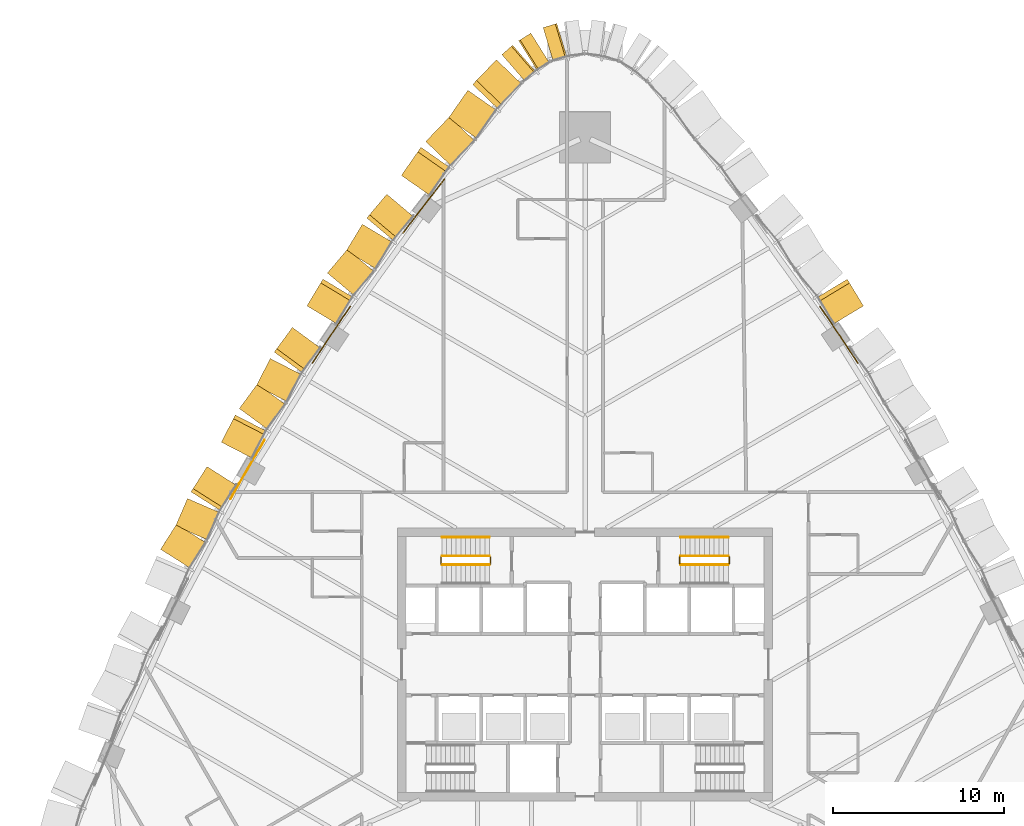
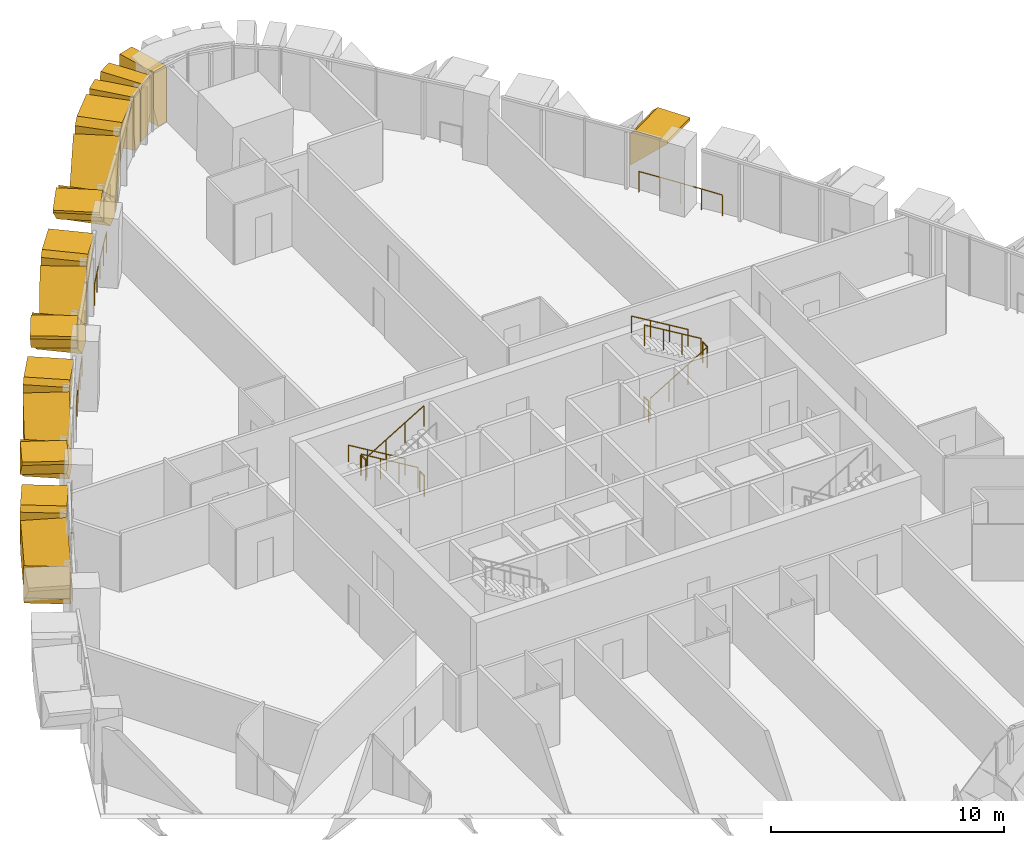
# One storey, part 20 of 22: 19 coverings, 14 railings.
"""IFC4 building model written with IfcOpenShell, lengths in metres."""

from ifc_helpers import new_model, si_unit, direction, frame, origin, origin_2d, place, context, subcontext, project, spatial, polyline, circle, outline, extrude, material, layer, layer_set, type_object, element, save


model = new_model("IFC4")

# Units and contexts
model_context = context("Model", 3, precision=1e-05, world=origin(), true_north=direction((0.0, 1.0)))
body_context = subcontext(model_context, "Body", "Model", "MODEL_VIEW")
ifc_project = project(units=[si_unit("LENGTHUNIT", "METRE"), si_unit("AREAUNIT", "SQUARE_METRE"), si_unit("VOLUMEUNIT", "CUBIC_METRE"), si_unit("PLANEANGLEUNIT", "RADIAN"), si_unit("MASSUNIT", "GRAM", prefix="KILO")], contexts=[model_context])

# Site, building, storey
site_placement = place(None, origin())
site = spatial("IfcSite", under=ifc_project, at=site_placement, CompositionType="ELEMENT")
building_placement = place(site_placement, origin())
building = spatial("IfcBuilding", under=site, at=building_placement, Name="Sierra Prisma Convention Tower", CompositionType="ELEMENT")
storey_placement = place(building_placement, frame((0.0, 0.0, 62.800048828125)))
storey = spatial("IfcBuildingStorey", under=building, at=storey_placement, Name="L11", CompositionType="ELEMENT", Elevation=62.800048828125)

# Coverings
ifc_material_1 = material(Name="Aluminium 6063-T6 bronze anodised", Category="aluminium")
ifc_layer = layer(ifc_material_1, 2.0)
ifc_layer_set = layer_set([ifc_layer], Name="Bronze crystal chevron frame")
covering_type = type_object("IfcCoveringType", Name="Bronze crystal chevron frame", PredefinedType="CLADDING", material=ifc_layer_set)
covering_1_placement = place(storey_placement, frame((16.3203125, 21.015625, 2.97998046875), z_axis=(0.856336169982, 0.516418787183, 1.4985825e-05), x_axis=(1.2832904e-05, 7.738962e-06, -0.999999999888)))
element("IfcCovering", 1, at=covering_1_placement, inside=storey, type_object=covering_type, Name="CW-2 chevron frame NE5.1.1", PredefinedType="CLADDING", context=body_context, shape_type="SweptSolid", body=[
    extrude(outline(polyline([(0.0, 0.0), (0.1628417968567149, 0.0), (1.894531249841712, 1.83004858426346), (0.24243164065222203, 1.83004858426346), (-4.075903744036317e-10, 1.573763135146004), (0.0, 0.0)])), origin(), (0.0, 0.0, -1.0), 2.0),
])
covering_2_placement = place(storey_placement, frame((-1.659423828125, 37.580078125, 0.0), z_axis=(-0.286690096858, 0.958023375197, 3.0662909e-05), x_axis=(-0.958023375647, -0.286690096992, -9.952e-09)))
element("IfcCovering", 2, at=covering_2_placement, inside=storey, type_object=covering_type, Name="CW-2 chevron frame N3.1.2", PredefinedType="CLADDING", context=body_context, shape_type="SweptSolid", body=[
    extrude(outline(polyline([(0.0, 0.0), (0.5549829505131081, -8.470329472543003e-22), (0.8386827710902457, 1.089355477751847), (0.8386827522743076, 2.9799804768630507), (0.09122267758372805, 2.979980467309572), (-2.6170773391764266e-08, 2.6296386706387884), (0.0, 0.0)])), origin(), (0.0, 0.0, -1.0), 2.0),
])
covering_3_placement = place(storey_placement, frame((-3.18212890625, 37.0146484375, 2.97998046875), z_axis=(-0.52973003457, 0.848166310594, -6.858818e-06), x_axis=(3.633322e-06, -5.817418e-06, -0.999999999976)))
element("IfcCovering", 3, at=covering_3_placement, inside=storey, type_object=covering_type, Name="CW-2 chevron frame N4.1.1", PredefinedType="CLADDING", context=body_context, shape_type="SweptSolid", body=[
    extrude(outline(polyline([(0.0, 0.0), (1.8906249999555294, 0.0), (2.9799804689421907, 0.283839278214992), (2.979980468729077, 0.8387854716968941), (0.35034179691593076, 0.8387854716968941), (2.822565357718751e-11, 0.7475366271382768), (0.0, 0.0)])), origin(), (0.0, 0.0, -1.0), 2.0),
])
covering_4_placement = place(storey_placement, frame((-4.25, 36.306640625, 0.0), z_axis=(-0.655892204575, 0.754854565316, 3.4619536e-05), x_axis=(-0.754854565769, -0.655892204968, -3.48e-10)))
element("IfcCovering", 4, at=covering_4_placement, inside=storey, type_object=covering_type, Name="CW-2 chevron frame N4.1.2", PredefinedType="CLADDING", context=body_context, shape_type="SweptSolid", body=[
    extrude(outline(polyline([(0.0, 0.0), (0.5549965118327121, 1.6940658945086007e-21), (0.8389828545040788, 1.08935546887798), (0.8389828538457093, 2.979980467745011), (0.0913619301070537, 2.9799804731881845), (-9.157152503089183e-10, 2.6296386702991725), (0.0, 0.0)])), origin(), (0.0, 0.0, -1.0), 2.0),
])
covering_5_placement = place(storey_placement, frame((-5.199462890625, 35.4560546875, 2.97998046875), z_axis=(-0.720212810955, 0.693753203177, 4.28925e-06), x_axis=(-3.089173e-06, 2.975681e-06, -0.999999999991)))
element("IfcCovering", 5, at=covering_5_placement, inside=storey, type_object=covering_type, Name="CW-2 chevron frame NW1.1.1", PredefinedType="CLADDING", context=body_context, shape_type="SweptSolid", body=[
    extrude(outline(polyline([(0.0, 0.0), (0.12573242187384343, 0.0), (1.8674316406129738, 2.011532258213049), (0.28002929687757594, 2.011532258213049), (-3.151768106306638e-11, 1.6881332798481512), (0.0, 0.0)])), origin(), (0.0, 0.0, -1.0), 2.0),
])
covering_6_placement = place(storey_placement, frame((-6.876708984375, 33.6650390625, 2.58740234375), z_axis=(-0.819887176263, 0.572525124513, 1.45104e-07), x_axis=(-1.18969e-07, 8.3076e-08, -1.0)))
element("IfcCovering", 6, at=covering_6_placement, inside=storey, type_object=covering_type, Name="CW-2 chevron frame NW1.1.2", PredefinedType="CLADDING", context=body_context, shape_type="SweptSolid", body=[
    extrude(outline(polyline([(0.0, 0.0), (1.5874023437499833, 0.0), (2.5874023437500453, 1.154765748713659), (2.587402343749994, 2.011459689450176), (1.7416992187500027, 2.011459689450176), (0.0, 0.0)])), origin(), (0.0, 0.0, -1.0), 2.0),
])
covering_7_placement = place(storey_placement, frame((-7.949462890625, 32.11181640625, 0.0), z_axis=(-0.720166165978, 0.693801623039, -3.5345518e-05), x_axis=(-0.693801623472, -0.720166166428, -3.549e-09)))
element("IfcCovering", 7, at=covering_7_placement, inside=storey, type_object=covering_type, Name="CW-2 chevron frame NW1.2.1", PredefinedType="CLADDING", context=body_context, shape_type="SweptSolid", body=[
    extrude(outline(polyline([(0.0, 0.0), (0.8565852182847731, 1.6940658945086007e-21), (2.0113564283809096, 1.000000007762185), (2.0113564227478276, 2.5874023505206094), (-3.0010759569958462e-09, 0.845703124471729), (0.0, 0.0)])), origin(), (0.0, 0.0, -1.0), 2.0),
])
covering_8_placement = place(storey_placement, frame((-10.7783203125, 28.671630859375, 2.97998046875), z_axis=(-0.819834156934, 0.572601041398, -5.0146271e-05), x_axis=(0.572601042118, 0.819834157965, 2.552e-09)))
element("IfcCovering", 8, at=covering_8_placement, inside=storey, type_object=covering_type, Name="CW-2 chevron frame NW1.2.2", PredefinedType="CLADDING", context=body_context, shape_type="SweptSolid", body=[
    extrude(outline(polyline([(0.0, 0.0), (1.6881267986440383, 6.776263578034403e-21), (2.0115994753017508, 0.28002930236048945), (2.011599471250858, 1.86743164411461), (-3.2085663820708017e-10, 0.12573242171691357), (0.0, 0.0)])), origin(), (0.0, 0.0, -1.0), 2.0),
])
covering_9_placement = place(storey_placement, frame((-11.62890625, 27.56982421875, 2.97998046875), z_axis=(-0.765022025836, 0.644004113594, -4.0738642e-05), x_axis=(3.1165958e-05, -2.6235853e-05, -0.99999999917)))
element("IfcCovering", 9, at=covering_9_placement, inside=storey, type_object=covering_type, Name="CW-2 chevron frame NW2.1.1", PredefinedType="CLADDING", context=body_context, shape_type="SweptSolid", body=[
    extrude(outline(polyline([(0.0, 0.0), (0.1633300779894657, 0.0), (1.895019530079016, 1.827642817336928), (0.24194335957576907, 1.827642817336928), (-3.01457487087136e-09, 1.572410300250707), (0.0, 0.0)])), origin(), (0.0, 0.0, -1.0), 2.0),
])
covering_10_placement = place(storey_placement, frame((-13.06396484375, 25.81103515625, 2.614990234375), z_axis=(-0.856247751691, 0.516565375699, -1.8782346e-05), x_axis=(1.6082341e-05, -9.702309e-06, -0.999999999824)))
element("IfcCovering", 10, at=covering_10_placement, inside=storey, type_object=covering_type, Name="CW-2 chevron frame NW2.1.2", PredefinedType="CLADDING", context=body_context, shape_type="SweptSolid", body=[
    extrude(outline(polyline([(0.0, 0.0), (1.6530761715834168, 5.6008399275965504e-21), (2.6149902351478613, 1.0153028983171954), (2.614990234253087, 1.8276626946994285), (1.7316894531588911, 1.8276626946994285), (0.0, 0.0)])), origin(), (0.0, 0.0, -1.0), 2.0),
])
covering_11_placement = place(storey_placement, frame((-14.458740234375, 23.7255859375, 0.0), z_axis=(-0.764974049044, 0.644061101522, -4.2369561e-05), x_axis=(-0.46757662632, -0.555311979785, 0.687750466104)))
element("IfcCovering", 11, at=covering_11_placement, inside=storey, type_object=covering_type, Name="CW-2 chevron frame NW2.2.1", PredefinedType="CLADDING", context=body_context, shape_type="SweptSolid", body=[
    extrude(outline(polyline([(0.0, 0.0), (1.398638189955494, -1.1102230246251565e-16), (2.5355420976685403, 1.2000459698453607), (0.017685589753392073, 1.2000012491798882), (-0.5898049342616429, 0.5587715461965008), (0.0, 0.0)])), origin(), (0.0, 0.0, -1.0), 2.0),
])
covering_12_placement = place(storey_placement, frame((-16.314697265625, 21.0234375, 2.97998046875), z_axis=(-0.856313404641, 0.516456535027, -2.142565e-05), x_axis=(0.516456535146, 0.856313404838, 5.3e-10)))
element("IfcCovering", 12, at=covering_12_placement, inside=storey, type_object=covering_type, Name="CW-2 chevron frame NW2.2.2", PredefinedType="CLADDING", context=body_context, shape_type="SweptSolid", body=[
    extrude(outline(polyline([(0.0, 0.0), (1.5723395663028146, -3.3881317890172014e-21), (1.827536594081909, 0.24194336039970482), (1.8275365932052565, 1.8950195318952754), (-8.661654085623635e-11, 0.16333007808751096), (0.0, 0.0)])), origin(), (0.0, 0.0, -1.0), 2.0),
])
covering_13_placement = place(storey_placement, frame((-17.1669921875, 19.759033203125, 2.97998046875), z_axis=(-0.806376305669, 0.59140277965, 7.6669192e-05), x_axis=(-6.182422e-05, 4.5342373e-05, -0.999999997061)))
element("IfcCovering", 13, at=covering_13_placement, inside=storey, type_object=covering_type, Name="CW-2 chevron frame NW3.1.1", PredefinedType="CLADDING", context=body_context, shape_type="SweptSolid", body=[
    extrude(outline(polyline([(0.0, 0.0), (0.17114257762199786, 0.0), (1.9006347614151375, 1.7944873702247388), (0.23413086006312991, 1.7944873702247388), (-1.080198915045876e-08, 1.5515552322157604), (0.0, 0.0)])), origin(), (0.0, 0.0, -1.0), 2.0),
])
covering_14_placement = place(storey_placement, frame((-18.461669921875, 17.93505859375, 2.62060546875), z_axis=(-0.888995422362, 0.457916082283, -2.4614617e-05), x_axis=(2.1882281e-05, -1.1271429e-05, -0.999999999697)))
element("IfcCovering", 14, at=covering_14_placement, inside=storey, type_object=covering_type, Name="CW-2 chevron frame NW3.1.2", PredefinedType="CLADDING", context=body_context, shape_type="SweptSolid", body=[
    extrude(outline(polyline([(0.0, 0.0), (1.666748046370076, 2.82358102094976e-21), (2.6206054700837926, 0.9897050176118658), (2.620605468534037, 1.7941149202636444), (1.7294921875539908, 1.7941149202636444), (0.0, 0.0)])), origin(), (0.0, 0.0, -1.0), 2.0),
])
covering_15_placement = place(storey_placement, frame((-19.218017578125, 16.445556640625, 0.0), z_axis=(-0.806379112093, 0.591398957418, 2.7284491e-05), x_axis=(-0.591398957639, -0.806379112393, -2.367e-09)))
element("IfcCovering", 15, at=covering_15_placement, inside=storey, type_object=covering_type, Name="CW-2 chevron frame NW3.2.1", PredefinedType="CLADDING", context=body_context, shape_type="SweptSolid", body=[
    extrude(outline(polyline([(0.0, 0.0), (0.8044887378091437, -3.3881317890172014e-21), (1.794146113450084, 0.9538574264766971), (1.7941461095049778, 2.620605472731297), (-2.1092188580657487e-09, 0.8911132809183083), (0.0, 0.0)])), origin(), (0.0, 0.0, -1.0), 2.0),
])
covering_16_placement = place(storey_placement, frame((-21.334228515625, 13.026611328125, 2.97998046875), z_axis=(-0.888949426199, 0.458005365039, -5.7058173e-05), x_axis=(0.458005365784, 0.888949427646, 3.856e-09)))
element("IfcCovering", 16, at=covering_16_placement, inside=storey, type_object=covering_type, Name="CW-2 chevron frame NW3.2.2", PredefinedType="CLADDING", context=body_context, shape_type="SweptSolid", body=[
    extrude(outline(polyline([(0.0, 0.0), (1.5513845046891104, 0.0), (1.7942267256702549, 0.23413086667531713), (1.7942267192436059, 1.900634770212553), (-6.599884041023005e-10, 0.17114257784641113), (0.0, 0.0)])), origin(), (0.0, 0.0, -1.0), 2.0),
])
covering_17_placement = place(storey_placement, frame((-22.169921875, 11.59521484375, 2.97998046875), z_axis=(-0.844162308978, 0.536087673339, -5.0939794e-05), x_axis=(4.3001454e-05, -2.7308196e-05, -0.999999998703)))
element("IfcCovering", 17, at=covering_17_placement, inside=storey, type_object=covering_type, Name="CW-2 chevron frame NW4.1.1", PredefinedType="CLADDING", context=body_context, shape_type="SweptSolid", body=[
    extrude(outline(polyline([(0.0, 0.0), (0.18139648413965054, 0.0), (1.908203123104534, 1.7528977584748593), (0.2236328127901482, 1.7528977584748593), (-4.84192755663838e-09, 1.5259350936612077), (0.0, 0.0)])), origin(), (0.0, 0.0, -1.0), 2.0),
])
covering_18_placement = place(storey_placement, frame((-23.3173828125, 9.7236328125, 2.628173828125), z_axis=(-0.917646810917, 0.397396943135, -1.218584e-06), x_axis=(1.11823e-06, -4.84261e-07, -0.999999999999)))
element("IfcCovering", 18, at=covering_18_placement, inside=storey, type_object=covering_type, Name="CW-2 chevron frame NW4.1.2", PredefinedType="CLADDING", context=body_context, shape_type="SweptSolid", body=[
    extrude(outline(polyline([(0.0, 0.0), (1.6845703124987494, 8.91804097908733e-23), (2.62817382812829, 0.9577808480591474), (2.6281738281244498, 1.7527418625703821), (1.726806640625119, 1.7527418625703821), (0.0, 0.0)])), origin(), (0.0, 0.0, -1.0), 2.0),
])
covering_19_placement = place(storey_placement, frame((-23.955810546875, 8.224853515625, 0.0), z_axis=(-0.844113682708, 0.536164236886, 4.1839789e-05), x_axis=(-0.536164237355, -0.844113683446, -5.695e-09)))
element("IfcCovering", 19, at=covering_19_placement, inside=storey, type_object=covering_type, Name="CW-2 chevron frame NW4.2.1", PredefinedType="CLADDING", context=body_context, shape_type="SweptSolid", body=[
    extrude(outline(polyline([(0.0, 0.0), (0.7948650294269216, 0.0), (1.7526916624153317, 0.9436035264327272), (1.7526916528214855, 2.6281738374582497), (-5.1334028969455725e-09, 0.9013671867110478), (0.0, 0.0)])), origin(), (0.0, 0.0, -1.0), 2.0),
])

# Railings
ifc_material_2 = material(Name="Stainless steel", Category="steel")
railing_type_1 = type_object("IfcRailingType", Name="Exit stair handrail", PredefinedType="HANDRAIL", material=ifc_material_2)
railing_1_placement = place(storey_placement, frame((-5.60009765625, 7.449951171875, 0.168212890625)))
element("IfcRailing", 20, at=railing_1_placement, inside=storey, type_object=railing_type_1, Name="L11 S3 stair handrail 1", PredefinedType="HANDRAIL", context=body_context, shape_type="SweptSolid", body=[
    extrude(circle(Radius=0.02392578125, at=origin_2d()), frame((0.0, 0.0, 0.8759765625), z_axis=(-0.857255387014, 0.0, 0.514891446264), x_axis=(0.0, -1.0, 0.0)), (0.0, 0.0, 1.0), 3.26611328125),
    extrude(circle(Radius=0.02099609375, at=origin_2d()), origin(), (0.0, 0.0, 1.0), 0.851806640625),
    extrude(circle(Radius=0.02099609375, at=origin_2d()), frame((-0.933349609375, 0.0, 0.560546875)), (0.0, 0.0, 1.0), 0.851806640625),
    extrude(circle(Radius=0.02099609375, at=origin_2d()), frame((-1.866455078125, 0.0, 1.12109375)), (0.0, 0.0, 1.0), 0.851806640625),
    extrude(circle(Radius=0.02099609375, at=origin_2d()), frame((-2.7998046875, 0.0, 1.681640625)), (0.0, 0.0, 1.0), 0.851806640625),
])
railing_2_placement = place(storey_placement, frame((8.39990234375, 7.449951171875, 2.01806640625)))
element("IfcRailing", 21, at=railing_2_placement, inside=storey, type_object=railing_type_1, Name="L11 S4 stair handrail 2", PredefinedType="HANDRAIL", context=body_context, shape_type="SweptSolid", body=[
    extrude(circle(Radius=0.02392578125, at=origin_2d()), frame((0.0, 0.0, 0.8759765625), z_axis=(-0.857222391501, 0.0, 0.514946377315), x_axis=(0.0, -1.0, 0.0)), (0.0, 0.0, 1.0), 3.26611328125),
    extrude(circle(Radius=0.02099609375, at=origin_2d()), origin(), (0.0, 0.0, 1.0), 0.851806640625),
    extrude(circle(Radius=0.02099609375, at=origin_2d()), frame((-0.933349609375, 0.0, 0.560546875)), (0.0, 0.0, 1.0), 0.851806640625),
    extrude(circle(Radius=0.02099609375, at=origin_2d()), frame((-1.866455078125, 0.0, 1.121337890625)), (0.0, 0.0, 1.0), 0.851806640625),
    extrude(circle(Radius=0.02099609375, at=origin_2d()), frame((-2.7998046875, 0.0, 1.681884765625)), (0.0, 0.0, 1.0), 0.851806640625),
])
ifc_material_3 = material(Name="Bronze anodised aluminium", Category="aluminium")
railing_type_2 = type_object("IfcRailingType", Name="Facade guard 1100", PredefinedType="GUARDRAIL", material=ifc_material_3)
railing_3_placement = place(storey_placement, frame((15.98828125, 17.66455078125, 0.0)))
element("IfcRailing", 22, at=railing_3_placement, inside=storey, type_object=railing_type_2, Name="Facade guard", PredefinedType="GUARDRAIL", context=body_context, shape_type="SweptSolid", body=[
    extrude(circle(Radius=0.02392578125, at=origin_2d()), frame((0.0, 0.0, 1.076171875), z_axis=(-0.544739326421, 0.838605429419, 0.0), x_axis=(-0.838605429419, -0.544739326421, 0.0)), (0.0, 0.0, 1.0), 0.99951171875),
    extrude(circle(Radius=0.02392578125, at=origin_2d()), frame((-0.54443359375, 0.838134765625, 1.076171875), z_axis=(-0.555605992859, 0.831445717229, 0.0), x_axis=(-0.831445717229, -0.555605992859, 0.0)), (0.0, 0.0, 1.0), 0.994873046875),
    extrude(circle(Radius=0.02392578125, at=origin_2d()), frame((-1.09716796875, 1.665283203125, 1.076171875), z_axis=(-0.556335681291, 0.830957646166, 0.0), x_axis=(-0.830957646166, -0.556335681291, 0.0)), (0.0, 0.0, 1.0), 0.998291015625),
    extrude(circle(Radius=0.02392578125, at=origin_2d()), frame((-1.652587890625, 2.494873046875, 1.076171875), z_axis=(-0.567360636551, 0.823469433612, 0.0), x_axis=(-0.823469433612, -0.567360636551, 0.0)), (0.0, 0.0, 1.0), 0.99609375),
    extrude(circle(Radius=0.02099609375, at=origin_2d()), origin(), (0.0, 0.0, 1.0), 1.052001953125),
    extrude(circle(Radius=0.02099609375, at=origin_2d()), frame((-0.54443359375, 0.838134765625, 0.0)), (0.0, 0.0, 1.0), 1.052001953125),
    extrude(circle(Radius=0.02099609375, at=origin_2d()), frame((-1.09716796875, 1.665283203125, 0.0)), (0.0, 0.0, 1.0), 1.052001953125),
    extrude(circle(Radius=0.02099609375, at=origin_2d()), frame((-1.652587890625, 2.494873046875, 0.0)), (0.0, 0.0, 1.0), 1.052001953125),
    extrude(circle(Radius=0.02099609375, at=origin_2d()), frame((-2.2177734375, 3.315185546875, 0.0)), (0.0, 0.0, 1.0), 1.052001953125),
])
railing_4_placement = place(storey_placement, frame((-8.24072265625, 28.457763671875, 0.0)))
element("IfcRailing", 23, at=railing_4_placement, inside=storey, type_object=railing_type_2, Name="Facade guard", PredefinedType="GUARDRAIL", context=body_context, shape_type="SweptSolid", body=[
    extrude(circle(Radius=0.02392578125, at=origin_2d()), frame((0.0, 0.0, 1.076171875), z_axis=(-0.618027486735, -0.786156489282, 0.0), x_axis=(0.786156489282, -0.618027486735, 0.0)), (0.0, 0.0, 1.0), 0.99462890625),
    extrude(circle(Radius=0.02392578125, at=origin_2d()), frame((-0.61474609375, -0.781982421875, 1.076171875), z_axis=(-0.612621241792, -0.790376628011, 0.0), x_axis=(0.790376628011, -0.612621241792, 0.0)), (0.0, 0.0, 1.0), 1.0),
    extrude(circle(Radius=0.02392578125, at=origin_2d()), frame((-1.227294921875, -1.572265625, 1.076171875), z_axis=(-0.606656987656, -0.794963709441, 0.0), x_axis=(0.794963709441, -0.606656987656, 0.0)), (0.0, 0.0, 1.0), 0.994384765625),
    extrude(circle(Radius=0.02392578125, at=origin_2d()), frame((-1.83056640625, -2.36279296875, 1.076171875), z_axis=(-0.601561352614, -0.798826601361, 0.0), x_axis=(0.798826601361, -0.601561352614, 0.0)), (0.0, 0.0, 1.0), 1.0),
    extrude(circle(Radius=0.02099609375, at=origin_2d()), origin(), (0.0, 0.0, 1.0), 1.052001953125),
    extrude(circle(Radius=0.02099609375, at=origin_2d()), frame((-0.61474609375, -0.781982421875, 0.0)), (0.0, 0.0, 1.0), 1.052001953125),
    extrude(circle(Radius=0.02099609375, at=origin_2d()), frame((-1.227294921875, -1.572265625, 0.0)), (0.0, 0.0, 1.0), 1.052001953125),
    extrude(circle(Radius=0.02099609375, at=origin_2d()), frame((-1.83056640625, -2.36279296875, 0.0)), (0.0, 0.0, 1.0), 1.052001953125),
    extrude(circle(Radius=0.02099609375, at=origin_2d()), frame((-2.43212890625, -3.16162109375, 0.0)), (0.0, 0.0, 1.0), 1.052001953125),
])
railing_5_placement = place(storey_placement, frame((-13.7705078125, 20.979736328125, 0.0)))
element("IfcRailing", 24, at=railing_5_placement, inside=storey, type_object=railing_type_2, Name="Facade guard", PredefinedType="GUARDRAIL", context=body_context, shape_type="SweptSolid", body=[
    extrude(circle(Radius=0.02392578125, at=origin_2d()), frame((0.0, 0.0, 1.076171875), z_axis=(-0.567360636551, -0.823469433612, 0.0), x_axis=(0.823469433612, -0.567360636551, 0.0)), (0.0, 0.0, 1.0), 0.99609375),
    extrude(circle(Radius=0.02392578125, at=origin_2d()), frame((-0.565185546875, -0.8203125, 1.076171875), z_axis=(-0.556335681291, -0.830957646166, 0.0), x_axis=(0.830957646166, -0.556335681291, 0.0)), (0.0, 0.0, 1.0), 0.998291015625),
    extrude(circle(Radius=0.02392578125, at=origin_2d()), frame((-1.12060546875, -1.64990234375, 1.076171875), z_axis=(-0.555605992859, -0.831445717229, 0.0), x_axis=(0.831445717229, -0.555605992859, 0.0)), (0.0, 0.0, 1.0), 0.994873046875),
    extrude(circle(Radius=0.02392578125, at=origin_2d()), frame((-1.67333984375, -2.47705078125, 1.076171875), z_axis=(-0.544739326421, -0.838605429419, 0.0), x_axis=(0.838605429419, -0.544739326421, 0.0)), (0.0, 0.0, 1.0), 0.99951171875),
    extrude(circle(Radius=0.02099609375, at=origin_2d()), origin(), (0.0, 0.0, 1.0), 1.052001953125),
    extrude(circle(Radius=0.02099609375, at=origin_2d()), frame((-0.565185546875, -0.8203125, 0.0)), (0.0, 0.0, 1.0), 1.052001953125),
    extrude(circle(Radius=0.02099609375, at=origin_2d()), frame((-1.12060546875, -1.64990234375, 0.0)), (0.0, 0.0, 1.0), 1.052001953125),
    extrude(circle(Radius=0.02099609375, at=origin_2d()), frame((-1.67333984375, -2.47705078125, 0.0)), (0.0, 0.0, 1.0), 1.052001953125),
    extrude(circle(Radius=0.02099609375, at=origin_2d()), frame((-2.2177734375, -3.315185546875, 0.0)), (0.0, 0.0, 1.0), 1.052001953125),
])
railing_6_placement = place(storey_placement, frame((-18.7958984375, 13.15380859375, 0.0)))
element("IfcRailing", 25, at=railing_6_placement, inside=storey, type_object=railing_type_2, Name="Facade guard", PredefinedType="GUARDRAIL", context=body_context, shape_type="SweptSolid", body=[
    extrude(circle(Radius=0.02392578125, at=origin_2d()), frame((0.0, 0.0, 1.076171875), z_axis=(-0.509568123678, -0.860430315209, 0.0), x_axis=(0.860430315209, -0.509568123678, 0.0)), (0.0, 0.0, 1.0), 1.0),
    extrude(circle(Radius=0.02392578125, at=origin_2d()), frame((-0.509521484375, -0.8603515625, 1.076171875), z_axis=(-0.502496720194, -0.864579115058, 0.0), x_axis=(0.864579115058, -0.502496720194, 0.0)), (0.0, 0.0, 1.0), 0.99462890625),
    extrude(circle(Radius=0.02392578125, at=origin_2d()), frame((-1.00927734375, -1.72021484375, 1.076171875), z_axis=(-0.49766343402, -0.867370224552, 0.0), x_axis=(0.867370224552, -0.49766343402, 0.0)), (0.0, 0.0, 1.0), 0.999755859375),
    extrude(circle(Radius=0.02392578125, at=origin_2d()), frame((-1.5068359375, -2.58740234375, 1.076171875), z_axis=(-0.489993146954, -0.871726284987, 0.0), x_axis=(0.871726284987, -0.489993146954, 0.0)), (0.0, 0.0, 1.0), 0.99462890625),
    extrude(circle(Radius=0.02099609375, at=origin_2d()), origin(), (0.0, 0.0, 1.0), 1.052001953125),
    extrude(circle(Radius=0.02099609375, at=origin_2d()), frame((-0.509521484375, -0.8603515625, 0.0)), (0.0, 0.0, 1.0), 1.052001953125),
    extrude(circle(Radius=0.02099609375, at=origin_2d()), frame((-1.00927734375, -1.72021484375, 0.0)), (0.0, 0.0, 1.0), 1.052001953125),
    extrude(circle(Radius=0.02099609375, at=origin_2d()), frame((-1.5068359375, -2.58740234375, 0.0)), (0.0, 0.0, 1.0), 1.052001953125),
    extrude(circle(Radius=0.02099609375, at=origin_2d()), frame((-1.994140625, -3.454345703125, 0.0)), (0.0, 0.0, 1.0), 1.052001953125),
])
ifc_material_4 = material(Name="Stainless steel", Category="steel")
railing_type_3 = type_object("IfcRailingType", Name="Stair guard 1100", PredefinedType="GUARDRAIL", material=ifc_material_4)
railing_7_placement = place(storey_placement, frame((-5.60009765625, 6.35009765625, 0.168212890625)))
element("IfcRailing", 26, at=railing_7_placement, inside=storey, type_object=railing_type_3, Name="L11 S3 stair guard 1", PredefinedType="GUARDRAIL", context=body_context, shape_type="SweptSolid", body=[
    extrude(circle(Radius=0.02392578125, at=origin_2d()), frame((0.0, 0.0, 1.076171875), z_axis=(-0.857255387014, 0.0, 0.514891446264), x_axis=(0.0, -1.0, 0.0)), (0.0, 0.0, 1.0), 3.26611328125),
    extrude(circle(Radius=0.02099609375, at=origin_2d()), origin(), (0.0, 0.0, 1.0), 1.052001953125),
    extrude(circle(Radius=0.02099609375, at=origin_2d()), frame((-0.933349609375, 0.0, 0.560546875)), (0.0, 0.0, 1.0), 1.052001953125),
    extrude(circle(Radius=0.02099609375, at=origin_2d()), frame((-1.866455078125, 0.0, 1.12109375)), (0.0, 0.0, 1.0), 1.052001953125),
    extrude(circle(Radius=0.02099609375, at=origin_2d()), frame((-2.7998046875, 0.0, 1.681640625)), (0.0, 0.0, 1.0), 1.052001953125),
])
railing_8_placement = place(storey_placement, frame((-8.449951171875, 6.300048828125, 1.849853515625)))
element("IfcRailing", 27, at=railing_8_placement, inside=storey, type_object=railing_type_3, Name="L11 S3 stair guard 2", PredefinedType="GUARDRAIL", context=body_context, shape_type="SweptSolid", body=[
    extrude(circle(Radius=0.02392578125, at=origin_2d()), frame((0.0, 0.0, 1.076171875), z_axis=(0.0, -1.0, 0.0), x_axis=(1.0, 0.0, 0.0)), (0.0, 0.0, 1.0), 0.400146484375),
    extrude(circle(Radius=0.02099609375, at=origin_2d()), origin(), (0.0, 0.0, 1.0), 1.052001953125),
    extrude(circle(Radius=0.02099609375, at=origin_2d()), frame((0.0, -0.400146484375, 0.0)), (0.0, 0.0, 1.0), 1.052001953125),
])
railing_9_placement = place(storey_placement, frame((-8.39990234375, 5.85009765625, 2.01806640625)))
element("IfcRailing", 28, at=railing_9_placement, inside=storey, type_object=railing_type_3, Name="L11 S3 stair guard 3", PredefinedType="GUARDRAIL", context=body_context, shape_type="SweptSolid", body=[
    extrude(circle(Radius=0.02392578125, at=origin_2d()), frame((0.0, 0.0, 1.076171875), z_axis=(0.857222391501, 0.0, 0.514946377315), x_axis=(0.0, 1.0, 0.0)), (0.0, 0.0, 1.0), 3.26611328125),
    extrude(circle(Radius=0.02099609375, at=origin_2d()), origin(), (0.0, 0.0, 1.0), 1.052001953125),
    extrude(circle(Radius=0.02099609375, at=origin_2d()), frame((0.933349609375, 0.0, 0.560546875)), (0.0, 0.0, 1.0), 1.052001953125),
    extrude(circle(Radius=0.02099609375, at=origin_2d()), frame((1.866455078125, 0.0, 1.121337890625)), (0.0, 0.0, 1.0), 1.052001953125),
    extrude(circle(Radius=0.02099609375, at=origin_2d()), frame((2.7998046875, 0.0, 1.681884765625)), (0.0, 0.0, 1.0), 1.052001953125),
])
railing_10_placement = place(storey_placement, frame((-5.550048828125, 6.300048828125, 0.0)))
element("IfcRailing", 29, at=railing_10_placement, inside=storey, type_object=railing_type_3, Name="L11 S3 stair guard 4", PredefinedType="GUARDRAIL", context=body_context, shape_type="SweptSolid", body=[
    extrude(circle(Radius=0.02392578125, at=origin_2d()), frame((0.0, 0.0, 1.076171875), z_axis=(0.0, -1.0, 0.0), x_axis=(1.0, 0.0, 0.0)), (0.0, 0.0, 1.0), 0.400146484375),
    extrude(circle(Radius=0.02099609375, at=origin_2d()), origin(), (0.0, 0.0, 1.0), 1.052001953125),
    extrude(circle(Radius=0.02099609375, at=origin_2d()), frame((0.0, -0.400146484375, 0.0)), (0.0, 0.0, 1.0), 1.052001953125),
])
railing_11_placement = place(storey_placement, frame((5.60009765625, 5.85009765625, 0.168212890625)))
element("IfcRailing", 30, at=railing_11_placement, inside=storey, type_object=railing_type_3, Name="L11 S4 stair guard 1", PredefinedType="GUARDRAIL", context=body_context, shape_type="SweptSolid", body=[
    extrude(circle(Radius=0.02392578125, at=origin_2d()), frame((0.0, 0.0, 1.076171875), z_axis=(0.857255387014, 0.0, 0.514891446264), x_axis=(0.0, 1.0, 0.0)), (0.0, 0.0, 1.0), 3.26611328125),
    extrude(circle(Radius=0.02099609375, at=origin_2d()), origin(), (0.0, 0.0, 1.0), 1.052001953125),
    extrude(circle(Radius=0.02099609375, at=origin_2d()), frame((0.933349609375, 0.0, 0.560546875)), (0.0, 0.0, 1.0), 1.052001953125),
    extrude(circle(Radius=0.02099609375, at=origin_2d()), frame((1.866455078125, 0.0, 1.12109375)), (0.0, 0.0, 1.0), 1.052001953125),
    extrude(circle(Radius=0.02099609375, at=origin_2d()), frame((2.7998046875, 0.0, 1.681640625)), (0.0, 0.0, 1.0), 1.052001953125),
])
railing_12_placement = place(storey_placement, frame((8.449951171875, 5.89990234375, 1.849853515625)))
element("IfcRailing", 31, at=railing_12_placement, inside=storey, type_object=railing_type_3, Name="L11 S4 stair guard 2", PredefinedType="GUARDRAIL", context=body_context, shape_type="SweptSolid", body=[
    extrude(circle(Radius=0.02392578125, at=origin_2d()), frame((0.0, 0.0, 1.076171875), z_axis=(0.0, 1.0, 0.0), x_axis=(-1.0, 0.0, 0.0)), (0.0, 0.0, 1.0), 0.400146484375),
    extrude(circle(Radius=0.02099609375, at=origin_2d()), origin(), (0.0, 0.0, 1.0), 1.052001953125),
    extrude(circle(Radius=0.02099609375, at=origin_2d()), frame((0.0, 0.400146484375, 0.0)), (0.0, 0.0, 1.0), 1.052001953125),
])
railing_13_placement = place(storey_placement, frame((8.39990234375, 6.35009765625, 2.01806640625)))
element("IfcRailing", 32, at=railing_13_placement, inside=storey, type_object=railing_type_3, Name="L11 S4 stair guard 3", PredefinedType="GUARDRAIL", context=body_context, shape_type="SweptSolid", body=[
    extrude(circle(Radius=0.02392578125, at=origin_2d()), frame((0.0, 0.0, 1.076171875), z_axis=(-0.857222391501, 0.0, 0.514946377315), x_axis=(0.0, -1.0, 0.0)), (0.0, 0.0, 1.0), 3.26611328125),
    extrude(circle(Radius=0.02099609375, at=origin_2d()), origin(), (0.0, 0.0, 1.0), 1.052001953125),
    extrude(circle(Radius=0.02099609375, at=origin_2d()), frame((-0.933349609375, 0.0, 0.560546875)), (0.0, 0.0, 1.0), 1.052001953125),
    extrude(circle(Radius=0.02099609375, at=origin_2d()), frame((-1.866455078125, 0.0, 1.121337890625)), (0.0, 0.0, 1.0), 1.052001953125),
    extrude(circle(Radius=0.02099609375, at=origin_2d()), frame((-2.7998046875, 0.0, 1.681884765625)), (0.0, 0.0, 1.0), 1.052001953125),
])
railing_14_placement = place(storey_placement, frame((5.550048828125, 5.89990234375, 0.0)))
element("IfcRailing", 33, at=railing_14_placement, inside=storey, type_object=railing_type_3, Name="L11 S4 stair guard 4", PredefinedType="GUARDRAIL", context=body_context, shape_type="SweptSolid", body=[
    extrude(circle(Radius=0.02392578125, at=origin_2d()), frame((0.0, 0.0, 1.076171875), z_axis=(0.0, 1.0, 0.0), x_axis=(-1.0, 0.0, 0.0)), (0.0, 0.0, 1.0), 0.400146484375),
    extrude(circle(Radius=0.02099609375, at=origin_2d()), origin(), (0.0, 0.0, 1.0), 1.052001953125),
    extrude(circle(Radius=0.02099609375, at=origin_2d()), frame((0.0, 0.400146484375, 0.0)), (0.0, 0.0, 1.0), 1.052001953125),
])

save(model, "model.ifc")
